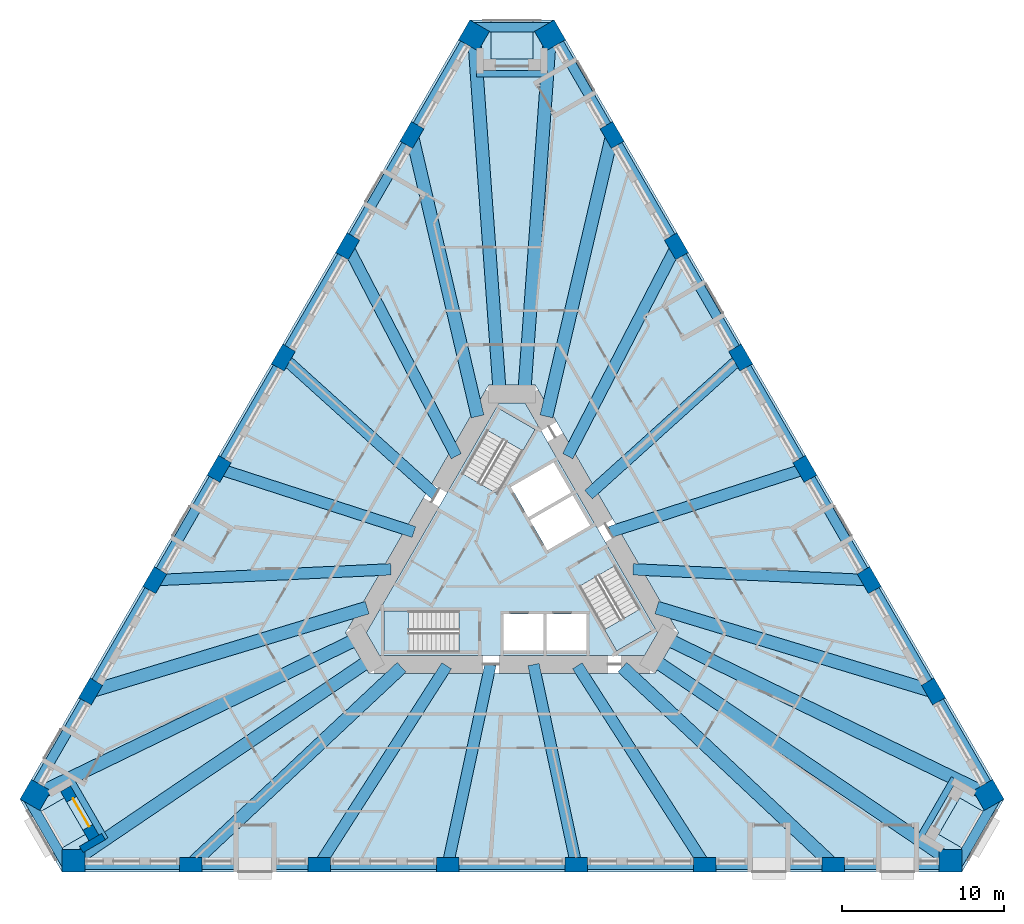
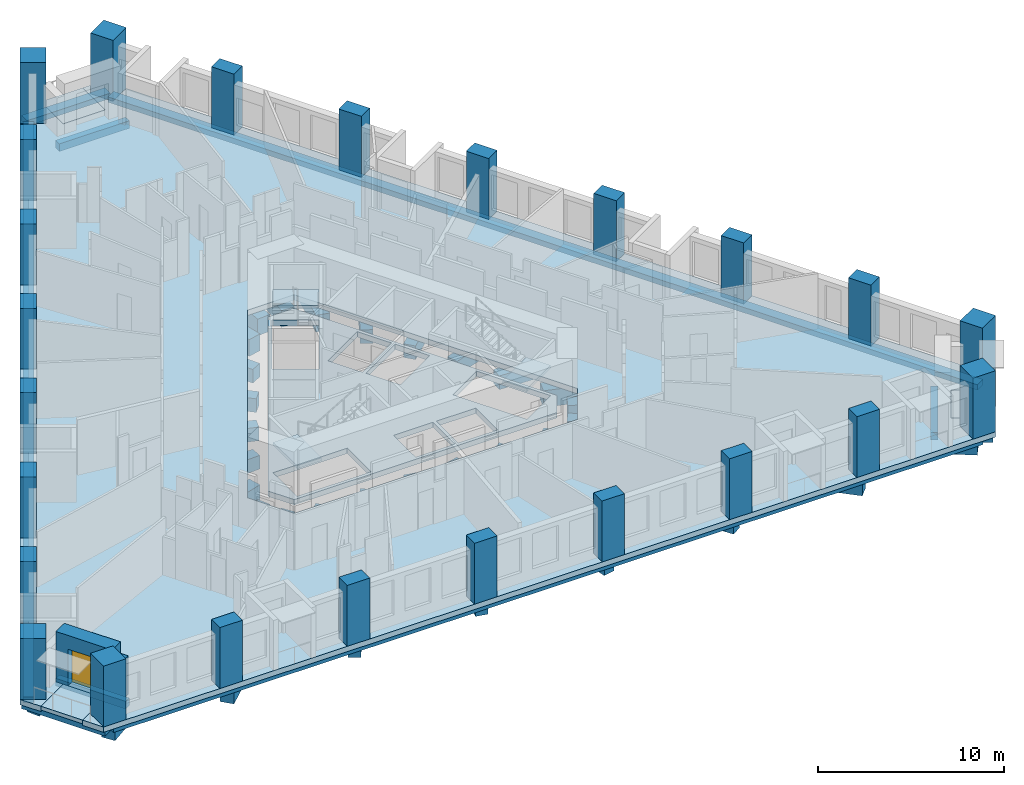
# One storey, part 1 of 14: 33 beams, 24 columns, 8 slabs, 2 walls, 1 door, 1 opening, 3 elements without a shape of their own.
"""IFC4 building model written with IfcOpenShell, lengths in metres."""

from ifc_helpers import new_model, si_unit, direction, frame, frame_2d, origin, origin_2d, place, context, subcontext, project, spatial, polyline, rectangle, outline, extrude, material, layer, layer_set, material_profile, profile_set, type_object, element, fill, aggregate, save


model = new_model("IFC4")

# Units and contexts
model_context = context("Model", 3, precision=1e-05, world=origin(), true_north=direction((0.0, 1.0)))
body_context = subcontext(model_context, "Body", "Model", "MODEL_VIEW")
ifc_project = project(units=[si_unit("LENGTHUNIT", "METRE"), si_unit("AREAUNIT", "SQUARE_METRE"), si_unit("VOLUMEUNIT", "CUBIC_METRE"), si_unit("PLANEANGLEUNIT", "RADIAN"), si_unit("MASSUNIT", "GRAM", prefix="KILO")], contexts=[model_context])

# Site, building, storey
site_placement = place(None, origin())
site = spatial("IfcSite", under=ifc_project, at=site_placement, CompositionType="ELEMENT")
building_placement = place(site_placement, origin())
building = spatial("IfcBuilding", under=site, at=building_placement, Name="Tramontana Tower", CompositionType="ELEMENT")
storey_placement = place(building_placement, frame((0.0, 0.0, 34.0)))
storey = spatial("IfcBuildingStorey", under=building, at=storey_placement, Name="L06", CompositionType="ELEMENT", Elevation=34.0)

# Columns
ifc_material_1 = material(Name="Concrete 70 MPa", Category="concrete")
ifc_material_profile_1 = material_profile(ifc_material_1, rectangle(XDim=1.39990234375, YDim=1.39990234375, at=origin_2d()), Name="Mega column 1400X1400 70 MPa")
ifc_profile_set_1 = profile_set([ifc_material_profile_1], Name="Concrete 70 MPa")
column_type_1 = type_object("IfcColumnType", Name="Mega column 1400X1400 70 MPa", PredefinedType="COLUMN", material=ifc_profile_set_1)
for number, where, z_axis, x_axis, name in (
    (1, (-2.341796875, 32.543701171875, 0.0), (0.0, 0.0, 1.0), (-0.5, -0.866025403784, 0.0), "Mega column C0K1 L06"),
    (2, (-29.354736328125, -14.243896484375, 0.0), (0.0, 0.0, 1.0), (-0.5, -0.866025403784, 0.0), "Mega column C0K2 L06"),
    (3, (-27.0126953125, -18.300048828125, 0.0), (0.0, 0.0, 1.0), (1.0, 0.0, 0.0), "Mega column C0K3 L06"),
    (4, (27.0126953125, -18.300048828125, 0.0), (0.0, 0.0, 1.0), (1.0, 0.0, 0.0), "Mega column C0K4 L06"),
    (5, (29.354736328125, -14.243896484375, 0.0), (0.0, 0.0, 1.0), (-0.5, 0.866025403784, 0.0), "Mega column C0K5 L06"),
    (6, (2.341796875, 32.543701171875, 0.0), (0.0, 0.0, 1.0), (-0.5, 0.866025403784, 0.0), "Mega column C0K6 L06"),
):
    element("IfcColumn", number, at=place(storey_placement, frame(where, z_axis=z_axis, x_axis=x_axis)), inside=storey, type_object=column_type_1, Name=name, PredefinedType="COLUMN", context=body_context, shape_type="SweptSolid", body=[
        extrude(rectangle(XDim=1.39990234375, YDim=1.39990234375, at=origin_2d()), origin(), (0.0, 0.0, 1.0), 4.0),
    ])
ifc_material_2 = material(Name="Concrete 55 MPa", Category="concrete")
ifc_material_profile_2 = material_profile(ifc_material_2, rectangle(XDim=1.39990234375, YDim=0.89990234375, at=origin_2d()), Name="Pier column 1400X900 55 MPa")
ifc_profile_set_2 = profile_set([ifc_material_profile_2], Name="Concrete 55 MPa")
column_type_2 = type_object("IfcColumnType", Name="Pier column 1400X900 55 MPa", PredefinedType="COLUMN", material=ifc_profile_set_2)
for number, where, z_axis, x_axis, name in (
    (7, (-6.167236328125, 26.41796875, 0.0), (0.0, 0.0, 1.0), (-0.5, -0.866025403784, 0.0), "Pier column C0F01 L06"),
    (8, (-10.126220703125, 19.560791015625, 0.0), (0.0, 0.0, 1.0), (-0.5, -0.866025403784, 0.0), "Pier column C0F02 L06"),
    (9, (-14.085205078125, 12.70361328125, 0.0), (0.0, 0.0, 1.0), (-0.5, -0.866025403784, 0.0), "Pier column C0F03 L06"),
    (10, (-18.044189453125, 5.846435546875, 0.0), (0.0, 0.0, 1.0), (-0.5, -0.866025403784, 0.0), "Pier column C0F04 L06"),
    (11, (-22.003173828125, -1.0107421875, 0.0), (0.0, 0.0, 1.0), (-0.5, -0.866025403784, 0.0), "Pier column C0F05 L06"),
    (12, (-25.962158203125, -7.867919921875, 0.0), (0.0, 0.0, 1.0), (-0.5, -0.866025403784, 0.0), "Pier column C0F06 L06"),
    (13, (-19.794921875, -18.550048828125, 0.0), (0.0, 0.0, 1.0), (1.0, 0.0, 0.0), "Pier column C0F07 L06"),
    (14, (-11.876953125, -18.550048828125, 0.0), (0.0, 0.0, 1.0), (1.0, 0.0, 0.0), "Pier column C0F08 L06"),
    (15, (-3.958984375, -18.550048828125, 0.0), (0.0, 0.0, 1.0), (1.0, 0.0, 0.0), "Pier column C0F09 L06"),
    (16, (3.958984375, -18.550048828125, 0.0), (0.0, 0.0, 1.0), (1.0, 0.0, 0.0), "Pier column C0F10 L06"),
    (17, (11.876953125, -18.550048828125, 0.0), (0.0, 0.0, 1.0), (1.0, 0.0, 0.0), "Pier column C0F11 L06"),
    (18, (19.794921875, -18.550048828125, 0.0), (0.0, 0.0, 1.0), (1.0, 0.0, 0.0), "Pier column C0F12 L06"),
    (19, (25.962158203125, -7.867919921875, 0.0), (0.0, 0.0, 1.0), (-0.5, 0.866025403784, 0.0), "Pier column C0F13 L06"),
    (20, (22.003173828125, -1.0107421875, 0.0), (0.0, 0.0, 1.0), (-0.5, 0.866025403784, 0.0), "Pier column C0F14 L06"),
    (21, (18.044189453125, 5.846435546875, 0.0), (0.0, 0.0, 1.0), (-0.5, 0.866025403784, 0.0), "Pier column C0F15 L06"),
    (22, (14.085205078125, 12.70361328125, 0.0), (0.0, 0.0, 1.0), (-0.5, 0.866025403784, 0.0), "Pier column C0F16 L06"),
    (23, (10.126220703125, 19.560791015625, 0.0), (0.0, 0.0, 1.0), (-0.5, 0.866025403784, 0.0), "Pier column C0F17 L06"),
    (24, (6.167236328125, 26.41796875, 0.0), (0.0, 0.0, 1.0), (-0.5, 0.866025403784, 0.0), "Pier column C0F18 L06"),
):
    element("IfcColumn", number, at=place(storey_placement, frame(where, z_axis=z_axis, x_axis=x_axis)), inside=storey, type_object=column_type_2, Name=name, PredefinedType="COLUMN", context=body_context, shape_type="SweptSolid", body=[
        extrude(rectangle(XDim=1.39990234375, YDim=0.89990234375, at=origin_2d()), origin(), (0.0, 0.0, 1.0), 4.0),
    ])

# Beams
ifc_material_3 = material(Name="Concrete 40 MPa", Category="concrete")
ifc_material_profile_3 = material_profile(ifc_material_3, rectangle(XDim=0.60009765625, YDim=0.35009765625, at=origin_2d()), Name="RC EDGE BEAM 600X350 40 MPa")
ifc_profile_set_3 = profile_set([ifc_material_profile_3], Name="Concrete 40 MPa")
beam_type_1 = type_object("IfcBeamType", Name="RC EDGE BEAM 600X350 40 MPa", PredefinedType="SPANDREL", material=ifc_profile_set_3)
beam_1_placement = place(storey_placement, frame((-2.558349609375, 32.668701171875, -0.52490234375), z_axis=(-0.500001490283, -0.866024543367, 0.0), x_axis=(0.866024543367, -0.500001490283, 0.0)))
element("IfcBeam", 25, at=beam_1_placement, inside=storey, type_object=beam_type_1, Name="Spandrel beam S0 L06", PredefinedType="SPANDREL", context=body_context, shape_type="SweptSolid", body=[
    extrude(rectangle(XDim=0.60009765625, YDim=0.35009765625, at=origin_2d()), origin(), (0.0, 0.0, 1.0), 54.025634765625),
])
beam_2_placement = place(storey_placement, frame((-27.0126953125, -18.550048828125, -0.52490234375), z_axis=(1.0, 0.0, 0.0), x_axis=(0.0, 1.0, 0.0)))
element("IfcBeam", 26, at=beam_2_placement, inside=storey, type_object=beam_type_1, Name="Spandrel beam S1 L06", PredefinedType="SPANDREL", context=body_context, shape_type="SweptSolid", body=[
    extrude(rectangle(XDim=0.60009765625, YDim=0.35009765625, at=origin_2d()), origin(), (0.0, 0.0, 1.0), 54.025390625),
])
beam_3_placement = place(storey_placement, frame((29.5712890625, -14.118896484375, -0.52490234375), z_axis=(-0.500001490283, 0.866024543367, 0.0), x_axis=(-0.866024543367, -0.500001490283, 0.0)))
element("IfcBeam", 27, at=beam_3_placement, inside=storey, type_object=beam_type_1, Name="Spandrel beam S2 L06", PredefinedType="SPANDREL", context=body_context, shape_type="SweptSolid", body=[
    extrude(rectangle(XDim=0.60009765625, YDim=0.35009765625, at=origin_2d()), origin(), (0.0, 0.0, 1.0), 54.025634765625),
])
for number, where, z_axis, x_axis, name in (
    (28, (2.59814453125, 33.050048828125, -0.52490234375), (-1.0, 0.0, 0.0), (0.0, -1.0, 0.0), "Spandrel beam K0 L06"),
    (29, (-29.921142578125, -14.27490234375, -0.52490234375), (0.50000986103, -0.866019710441, 0.0), (0.866019710441, 0.50000986103, 0.0), "Spandrel beam K1 L06"),
    (30, (27.322998046875, -18.77490234375, -0.52490234375), (0.50000986103, 0.866019710441, 0.0), (-0.866019710441, 0.50000986103, 0.0), "Spandrel beam K2 L06"),
):
    element("IfcBeam", number, at=place(storey_placement, frame(where, z_axis=z_axis, x_axis=x_axis)), inside=storey, type_object=beam_type_1, Name=name, PredefinedType="SPANDREL", context=body_context, shape_type="SweptSolid", body=[
        extrude(rectangle(XDim=0.60009765625, YDim=0.35009765625, at=origin_2d()), origin(), (0.0, 0.0, 1.0), 5.1962890625),
    ])
ifc_material_4 = material(Name="Concrete 40 MPa", Category="concrete")
ifc_material_profile_4 = material_profile(ifc_material_4, rectangle(XDim=0.699951171875, YDim=0.89990234375, at=origin_2d()), Name="RC GIRDER 700X900 40 MPa")
ifc_profile_set_4 = profile_set([ifc_material_profile_4], Name="Concrete 40 MPa")
beam_type_2 = type_object("IfcBeamType", Name="RC GIRDER 700X900 40 MPa", PredefinedType="BEAM", material=ifc_profile_set_4)
beam_4_placement = place(storey_placement, frame((-10.126220703125, 19.560791015625, -0.800048828125), z_axis=(0.459730770714, -0.88805834181, 0.0), x_axis=(0.88805834181, 0.459730770714, 0.0)))
element("IfcBeam", 31, at=beam_4_placement, inside=storey, type_object=beam_type_2, Name="Radial girder C0F02 L06", PredefinedType="BEAM", context=body_context, shape_type="SweptSolid", body=[
    extrude(rectangle(XDim=0.699951171875, YDim=0.89990234375, at=origin_2d()), origin(), (0.0, 0.0, 1.0), 14.5615234375),
])
beam_5_placement = place(storey_placement, frame((-14.085205078125, 12.70361328125, -0.800048828125), z_axis=(0.742588406407, -0.669748056116, 0.0), x_axis=(0.669748056116, 0.742588406407, 0.0)))
element("IfcBeam", 32, at=beam_5_placement, inside=storey, type_object=beam_type_2, Name="Radial girder C0F03 L06", PredefinedType="BEAM", context=body_context, shape_type="SweptSolid", body=[
    extrude(rectangle(XDim=0.699951171875, YDim=0.89990234375, at=origin_2d()), origin(), (0.0, 0.0, 1.0), 12.615966796875),
])
beam_6_placement = place(storey_placement, frame((-18.044189453125, 5.846435546875, -0.800048828125), z_axis=(0.951314408854, -0.30822215285, 0.0), x_axis=(0.30822215285, 0.951314408854, 0.0)))
element("IfcBeam", 33, at=beam_6_placement, inside=storey, type_object=beam_type_2, Name="Radial girder C0F04 L06", PredefinedType="BEAM", context=body_context, shape_type="SweptSolid", body=[
    extrude(rectangle(XDim=0.699951171875, YDim=0.89990234375, at=origin_2d()), origin(), (0.0, 0.0, 1.0), 12.61572265625),
])
for number, where, z_axis, x_axis, name in (
    (34, (-22.003173828125, -1.0107421875, -0.800048828125), (0.998946541736, 0.045889070085, 0.0), (-0.045889070085, 0.998946541736, 0.0), "Radial girder C0F05 L06"),
    (35, (-11.876953125, -18.550048828125, -0.800048828125), (0.539217827497, 0.84216633423, 0.0), (-0.84216633423, 0.539217827497, 0.0), "Radial girder C0F08 L06"),
):
    element("IfcBeam", number, at=place(storey_placement, frame(where, z_axis=z_axis, x_axis=x_axis)), inside=storey, type_object=beam_type_2, Name=name, PredefinedType="BEAM", context=body_context, shape_type="SweptSolid", body=[
        extrude(rectangle(XDim=0.699951171875, YDim=0.89990234375, at=origin_2d()), origin(), (0.0, 0.0, 1.0), 14.5615234375),
    ])
for number, where, z_axis, x_axis, name in (
    (36, (-3.958984375, -18.550048828125, -0.800048828125), (0.208730772127, 0.977973141128, 0.0), (-0.977973141128, 0.208730772127, 0.0), "Radial girder C0F09 L06"),
    (37, (3.958984375, -18.550048828125, -0.800048828125), (-0.208730772127, 0.977973141128, 0.0), (-0.977973141128, -0.208730772127, 0.0), "Radial girder C0F10 L06"),
):
    element("IfcBeam", number, at=place(storey_placement, frame(where, z_axis=z_axis, x_axis=x_axis)), inside=storey, type_object=beam_type_2, Name=name, PredefinedType="BEAM", context=body_context, shape_type="SweptSolid", body=[
        extrude(rectangle(XDim=0.699951171875, YDim=0.89990234375, at=origin_2d()), origin(), (0.0, 0.0, 1.0), 12.61572265625),
    ])
for number, where, z_axis, x_axis, name in (
    (38, (11.876953125, -18.550048828125, -0.800048828125), (-0.539217827497, 0.84216633423, 0.0), (-0.84216633423, -0.539217827497, 0.0), "Radial girder C0F11 L06"),
    (39, (22.003173828125, -1.0107421875, -0.800048828125), (-0.998946541736, 0.045889070085, 0.0), (-0.045889070085, -0.998946541736, 0.0), "Radial girder C0F14 L06"),
):
    element("IfcBeam", number, at=place(storey_placement, frame(where, z_axis=z_axis, x_axis=x_axis)), inside=storey, type_object=beam_type_2, Name=name, PredefinedType="BEAM", context=body_context, shape_type="SweptSolid", body=[
        extrude(rectangle(XDim=0.699951171875, YDim=0.89990234375, at=origin_2d()), origin(), (0.0, 0.0, 1.0), 14.5615234375),
    ])
beam_7_placement = place(storey_placement, frame((18.044189453125, 5.846435546875, -0.800048828125), z_axis=(-0.951314408854, -0.30822215285, 0.0), x_axis=(0.30822215285, -0.951314408854, 0.0)))
element("IfcBeam", 40, at=beam_7_placement, inside=storey, type_object=beam_type_2, Name="Radial girder C0F15 L06", PredefinedType="BEAM", context=body_context, shape_type="SweptSolid", body=[
    extrude(rectangle(XDim=0.699951171875, YDim=0.89990234375, at=origin_2d()), origin(), (0.0, 0.0, 1.0), 12.61572265625),
])
beam_8_placement = place(storey_placement, frame((14.085205078125, 12.70361328125, -0.800048828125), z_axis=(-0.742588406407, -0.669748056116, 0.0), x_axis=(0.669748056116, -0.742588406407, 0.0)))
element("IfcBeam", 41, at=beam_8_placement, inside=storey, type_object=beam_type_2, Name="Radial girder C0F16 L06", PredefinedType="BEAM", context=body_context, shape_type="SweptSolid", body=[
    extrude(rectangle(XDim=0.699951171875, YDim=0.89990234375, at=origin_2d()), origin(), (0.0, 0.0, 1.0), 12.615966796875),
])
beam_9_placement = place(storey_placement, frame((10.126220703125, 19.560791015625, -0.800048828125), z_axis=(-0.459730770714, -0.88805834181, 0.0), x_axis=(0.88805834181, -0.459730770714, 0.0)))
element("IfcBeam", 42, at=beam_9_placement, inside=storey, type_object=beam_type_2, Name="Radial girder C0F17 L06", PredefinedType="BEAM", context=body_context, shape_type="SweptSolid", body=[
    extrude(rectangle(XDim=0.699951171875, YDim=0.89990234375, at=origin_2d()), origin(), (0.0, 0.0, 1.0), 14.5615234375),
])
ifc_material_5 = material(Name="Concrete 40 MPa", Category="concrete")
ifc_material_profile_5 = material_profile(ifc_material_5, rectangle(XDim=0.800048828125, YDim=1.10009765625, at=origin_2d()), Name="RC GIRDER 800X1100 40 MPa")
ifc_profile_set_5 = profile_set([ifc_material_profile_5], Name="Concrete 40 MPa")
beam_type_3 = type_object("IfcBeamType", Name="RC GIRDER 800X1100 40 MPa", PredefinedType="BEAM", material=ifc_profile_set_5)
beam_10_placement = place(storey_placement, frame((-2.341796875, 32.543701171875, -0.89990234375), z_axis=(0.071767165612, -0.997421412413, 0.0), x_axis=(0.997421412413, 0.071767165612, 0.0)))
element("IfcBeam", 43, at=beam_10_placement, inside=storey, type_object=beam_type_3, Name="Radial girder C0K1 L06", PredefinedType="BEAM", context=body_context, shape_type="SweptSolid", body=[
    extrude(rectangle(XDim=0.800048828125, YDim=1.10009765625, at=origin_2d()), origin(), (0.0, 0.0, 1.0), 22.1494140625),
])
beam_11_placement = place(storey_placement, frame((-6.167236328125, 26.41796875, -0.89990234375), z_axis=(0.227334068495, -0.973816831494, 0.0), x_axis=(0.973816831494, 0.227334068495, 0.0)))
element("IfcBeam", 44, at=beam_11_placement, inside=storey, type_object=beam_type_3, Name="Radial girder C0F01 L06", PredefinedType="BEAM", context=body_context, shape_type="SweptSolid", body=[
    extrude(rectangle(XDim=0.800048828125, YDim=1.10009765625, at=origin_2d()), origin(), (0.0, 0.0, 1.0), 17.806884765625),
])
beam_12_placement = place(storey_placement, frame((-25.962158203125, -7.867919921875, -0.89990234375), z_axis=(0.95701990712, 0.290022236004, 0.0), x_axis=(-0.290022236004, 0.95701990712, 0.0)))
element("IfcBeam", 45, at=beam_12_placement, inside=storey, type_object=beam_type_3, Name="Radial girder C0F06 L06", PredefinedType="BEAM", context=body_context, shape_type="SweptSolid", body=[
    extrude(rectangle(XDim=0.800048828125, YDim=1.10009765625, at=origin_2d()), origin(), (0.0, 0.0, 1.0), 17.806640625),
])
beam_13_placement = place(storey_placement, frame((-29.354736328125, -14.243896484375, -0.89990234375), z_axis=(0.899679009302, 0.436552036098, 0.0), x_axis=(-0.436552036098, 0.899679009302, 0.0)))
element("IfcBeam", 46, at=beam_13_placement, inside=storey, type_object=beam_type_3, Name="Radial girder C0K2 L06", PredefinedType="BEAM", context=body_context, shape_type="SweptSolid", body=[
    extrude(rectangle(XDim=0.800048828125, YDim=1.10009765625, at=origin_2d()), origin(), (0.0, 0.0, 1.0), 22.149658203125),
])
beam_14_placement = place(storey_placement, frame((-27.0126953125, -18.300048828125, -0.89990234375), z_axis=(0.827898052271, 0.560878609903, 0.0), x_axis=(-0.560878609903, 0.827898052271, 0.0)))
element("IfcBeam", 47, at=beam_14_placement, inside=storey, type_object=beam_type_3, Name="Radial girder C0K3 L06", PredefinedType="BEAM", context=body_context, shape_type="SweptSolid", body=[
    extrude(rectangle(XDim=0.800048828125, YDim=1.10009765625, at=origin_2d()), origin(), (0.0, 0.0, 1.0), 22.1494140625),
])
for number, where, z_axis, x_axis, name in (
    (48, (-19.794921875, -18.550048828125, -0.89990234375), (0.72967229952, 0.683796998614, 0.0), (-0.683796998614, 0.72967229952, 0.0), "Radial girder C0F07 L06"),
    (49, (19.794921875, -18.550048828125, -0.89990234375), (-0.72967229952, 0.683796998614, 0.0), (-0.683796998614, -0.72967229952, 0.0), "Radial girder C0F12 L06"),
):
    element("IfcBeam", number, at=place(storey_placement, frame(where, z_axis=z_axis, x_axis=x_axis)), inside=storey, type_object=beam_type_3, Name=name, PredefinedType="BEAM", context=body_context, shape_type="SweptSolid", body=[
        extrude(rectangle(XDim=0.800048828125, YDim=1.10009765625, at=origin_2d()), origin(), (0.0, 0.0, 1.0), 17.806884765625),
    ])
beam_15_placement = place(storey_placement, frame((27.0126953125, -18.300048828125, -0.89990234375), z_axis=(-0.827898052271, 0.560878609903, 0.0), x_axis=(-0.560878609903, -0.827898052271, 0.0)))
element("IfcBeam", 50, at=beam_15_placement, inside=storey, type_object=beam_type_3, Name="Radial girder C0K4 L06", PredefinedType="BEAM", context=body_context, shape_type="SweptSolid", body=[
    extrude(rectangle(XDim=0.800048828125, YDim=1.10009765625, at=origin_2d()), origin(), (0.0, 0.0, 1.0), 22.1494140625),
])
beam_16_placement = place(storey_placement, frame((29.354736328125, -14.243896484375, -0.89990234375), z_axis=(-0.899679009302, 0.436552036098, 0.0), x_axis=(-0.436552036098, -0.899679009302, 0.0)))
element("IfcBeam", 51, at=beam_16_placement, inside=storey, type_object=beam_type_3, Name="Radial girder C0K5 L06", PredefinedType="BEAM", context=body_context, shape_type="SweptSolid", body=[
    extrude(rectangle(XDim=0.800048828125, YDim=1.10009765625, at=origin_2d()), origin(), (0.0, 0.0, 1.0), 22.149658203125),
])
beam_17_placement = place(storey_placement, frame((25.962158203125, -7.867919921875, -0.89990234375), z_axis=(-0.95701990712, 0.290022236004, 0.0), x_axis=(-0.290022236004, -0.95701990712, 0.0)))
element("IfcBeam", 52, at=beam_17_placement, inside=storey, type_object=beam_type_3, Name="Radial girder C0F13 L06", PredefinedType="BEAM", context=body_context, shape_type="SweptSolid", body=[
    extrude(rectangle(XDim=0.800048828125, YDim=1.10009765625, at=origin_2d()), origin(), (0.0, 0.0, 1.0), 17.806640625),
])
beam_18_placement = place(storey_placement, frame((6.167236328125, 26.41796875, -0.89990234375), z_axis=(-0.227334068495, -0.973816831494, 0.0), x_axis=(0.973816831494, -0.227334068495, 0.0)))
element("IfcBeam", 53, at=beam_18_placement, inside=storey, type_object=beam_type_3, Name="Radial girder C0F18 L06", PredefinedType="BEAM", context=body_context, shape_type="SweptSolid", body=[
    extrude(rectangle(XDim=0.800048828125, YDim=1.10009765625, at=origin_2d()), origin(), (0.0, 0.0, 1.0), 17.806884765625),
])
beam_19_placement = place(storey_placement, frame((2.341796875, 32.543701171875, -0.89990234375), z_axis=(-0.071767165612, -0.997421412413, 0.0), x_axis=(0.997421412413, -0.071767165612, 0.0)))
element("IfcBeam", 54, at=beam_19_placement, inside=storey, type_object=beam_type_3, Name="Radial girder C0K6 L06", PredefinedType="BEAM", context=body_context, shape_type="SweptSolid", body=[
    extrude(rectangle(XDim=0.800048828125, YDim=1.10009765625, at=origin_2d()), origin(), (0.0, 0.0, 1.0), 22.1494140625),
])
ifc_material_6 = material(Name="Concrete 40 MPa", Category="concrete")
ifc_material_profile_6 = material_profile(ifc_material_6, rectangle(XDim=0.39990234375, YDim=0.5, at=origin_2d()), Name="RC TRIM BEAM 400X500 40 MPa")
ifc_profile_set_6 = profile_set([ifc_material_profile_6], Name="Concrete 40 MPa")
beam_type_4 = type_object("IfcBeamType", Name="RC TRIM BEAM 400X500 40 MPa", PredefinedType="JOIST", material=ifc_profile_set_6)
for number, where, z_axis, x_axis, name in (
    (55, (2.173095703125, 30.199951171875, -0.60009765625), (-1.0, 0.0, 0.0), (0.0, -1.0, 0.0), "Trimmer beam K0 L06"),
    (56, (-27.240478515625, -13.218017578125, -0.60009765625), (0.499999616612, -0.866025625133, 0.0), (0.866025625133, 0.499999616612, 0.0), "Trimmer beam K1 L06"),
    (57, (25.0673828125, -16.98193359375, -0.60009765625), (0.499999616612, 0.866025625133, 0.0), (-0.866025625133, 0.499999616612, 0.0), "Trimmer beam K2 L06"),
):
    element("IfcBeam", number, at=place(storey_placement, frame(where, z_axis=z_axis, x_axis=x_axis)), inside=storey, type_object=beam_type_4, Name=name, PredefinedType="JOIST", context=body_context, shape_type="SweptSolid", body=[
        extrude(rectangle(XDim=0.39990234375, YDim=0.5, at=origin_2d()), origin(), (0.0, 0.0, 1.0), 4.34619140625),
    ])

# Slabs
ifc_material_7 = material(Name="Precast concrete 50 MPa", Category="concrete")
ifc_layer_1 = layer(ifc_material_7, 0.25)
ifc_layer_set_1 = layer_set([ifc_layer_1], Name="LT1 Loggia floor tray 250")
slab_type_1 = type_object("IfcSlabType", Name="LT1 Loggia floor tray 250", PredefinedType="FLOOR", material=ifc_layer_set_1)
slab_1_placement = place(storey_placement, frame((0.0, 0.0, -0.25)))
element("IfcSlab", 58, at=slab_1_placement, inside=storey, type_object=slab_type_1, Name="Corner loggia floor L06 K00", PredefinedType="FLOOR", context=body_context, shape_type="SweptSolid", body=[
    extrude(outline(polyline([(1.300048828125, 33.5), (1.300048828125, 31.10009765625), (-1.300048828125, 31.10009765625), (-1.300048828125, 33.5), (1.300048828125, 33.5)])), origin(), (0.0, 0.0, 1.0), 0.25),
])
slab_2_placement = place(storey_placement, frame((0.0, 0.0, -0.25)))
element("IfcSlab", 59, at=slab_2_placement, inside=storey, type_object=slab_type_1, Name="Corner loggia floor L06 K01", PredefinedType="FLOOR", context=body_context, shape_type="SweptSolid", body=[
    extrude(outline(polyline([(-29.661865234375, -15.624267578125), (-27.58349609375, -14.424072265625), (-26.283447265625, -16.67578125), (-28.36181640625, -17.875732421875), (-29.661865234375, -15.624267578125)])), origin(), (0.0, 0.0, 1.0), 0.25),
])
slab_3_placement = place(storey_placement, frame((0.0, 0.0, -0.25)))
element("IfcSlab", 60, at=slab_3_placement, inside=storey, type_object=slab_type_1, Name="Corner loggia floor L06 K02", PredefinedType="FLOOR", context=body_context, shape_type="SweptSolid", body=[
    extrude(outline(polyline([(28.36181640625, -17.875732421875), (26.283447265625, -16.67578125), (27.58349609375, -14.424072265625), (29.661865234375, -15.624267578125), (28.36181640625, -17.875732421875)])), origin(), (0.0, 0.0, 1.0), 0.25),
])
ifc_material_8 = material(Name="Concrete 40 MPa", Category="concrete")
ifc_layer_2 = layer(ifc_material_8, 0.35009765625)
ifc_layer_set_2 = layer_set([ifc_layer_2], Name="PT FLAT SLAB 350 40 MPa")
slab_type_2 = type_object("IfcSlabType", Name="PT FLAT SLAB 350 40 MPa", PredefinedType="FLOOR", material=ifc_layer_set_2)
slab_4_placement = place(storey_placement, frame((0.0, 0.0, -0.35009765625)))
element("IfcSlab", 61, at=slab_4_placement, inside=storey, type_object=slab_type_2, Name="Floor slab L06", PredefinedType="FLOOR", context=body_context, shape_type="SweptSolid", body=[
    extrude(outline(polyline([(29.661865234375, -15.624267578125), (27.58349609375, -14.42431640625), (26.283447265625, -16.67578125), (28.36181640625, -17.875732421875), (27.712890625, -19.0), (-27.712890625, -19.0), (-28.36181640625, -17.875732421875), (-26.283447265625, -16.67578125), (-27.58349609375, -14.42431640625), (-29.661865234375, -15.624267578125), (-30.310791015625, -14.5), (-2.59814453125, 33.5), (-1.300048828125, 33.5), (-1.300048828125, 31.10009765625), (1.300048828125, 31.10009765625), (1.300048828125, 33.5), (2.59814453125, 33.5), (30.310791015625, -14.5), (29.661865234375, -15.624267578125)]), holes=[polyline([(-10.248046875, -4.25), (-8.8046875, -6.75), (8.8046875, -6.75), (10.248046875, -4.25), (1.443359375, 11.0), (-1.443359375, 11.0), (-10.248046875, -4.25)])]), origin(), (0.0, 0.0, 1.0), 0.35009765625),
])
slab_5_placement = place(storey_placement, frame((0.0, 0.0, -0.35009765625)))
element("IfcSlab", 62, at=slab_5_placement, inside=storey, type_object=slab_type_2, Name="Core floor slab L06", PredefinedType="FLOOR", context=body_context, shape_type="SweptSolid", body=[
    extrude(outline(polyline([(8.977783203125, -4.25), (8.16943359375, -5.64990234375), (-8.16943359375, -5.64990234375), (-8.977783203125, -4.25), (-0.808349609375, 9.89990234375), (0.808349609375, 9.89990234375), (8.977783203125, -4.25)]), holes=[polyline([(8.659912109375, -4.099365234375), (6.35986328125, -0.115478515625), (4.151611328125, -1.390625), (6.451416015625, -5.374267578125), (8.659912109375, -4.099365234375)]), polyline([(3.829833984375, 4.2666015625), (1.101806640625, 2.69140625), (2.177001953125, 0.82958984375), (4.90478515625, 2.404541015625), (3.829833984375, 4.2666015625)]), polyline([(4.590087890625, -3.10009765625), (2.139892578125, -3.10009765625), (2.139892578125, -5.449951171875), (4.590087890625, -5.449951171875), (4.590087890625, -3.10009765625)]), polyline([(2.65478515625, 6.3017578125), (-0.072998046875, 4.726806640625), (1.001953125, 2.86474609375), (3.729736328125, 4.439697265625), (2.65478515625, 6.3017578125)]), polyline([(1.93994140625, -5.449951171875), (1.93994140625, -3.10009765625), (-0.510009765625, -3.10009765625), (-0.510009765625, -5.449951171875), (1.93994140625, -5.449951171875)]), polyline([(-0.77978515625, 9.54931640625), (-3.079833984375, 5.565673828125), (-0.87158203125, 4.29052734375), (1.428466796875, 8.2744140625), (-0.77978515625, 9.54931640625)]), polyline([(-7.8798828125, -5.449951171875), (-3.280029296875, -5.449951171875), (-3.280029296875, -2.89990234375), (-7.8798828125, -2.89990234375), (-7.8798828125, -5.449951171875)])]), origin(), (0.0, 0.0, 1.0), 0.35009765625),
])

# Stair, slab
ifc_material_9 = material(Name="Concrete 40 MPa", Category="concrete")
stair_type = type_object("IfcStairType", Name="EXIT STAIR 24 RISERS", PredefinedType="HALF_TURN_STAIR", material=ifc_material_9)
stair_1_placement = place(storey_placement, origin())
stair_1 = element("IfcStair", 63, at=stair_1_placement, inside=storey, type_object=stair_type, Name="L06 Exit stair ST1", PredefinedType="HALF_TURN_STAIR")
ifc_material_10 = material(Name="Concrete 40 MPa", Category="concrete")
ifc_layer_3 = layer(ifc_material_10, 0.199951171875)
ifc_layer_set_3 = layer_set([ifc_layer_3], Name="STAIR LANDING 200")
slab_type_3 = type_object("IfcSlabType", Name="STAIR LANDING 200", PredefinedType="LANDING", material=ifc_layer_set_3)
slab_6_placement = place(storey_placement, frame((0.0, 0.0, 1.800048828125)))
slab_6 = element("IfcSlab", 64, at=slab_6_placement, type_object=slab_type_3, Name="ST1 landing 1", PredefinedType="LANDING", context=body_context, shape_type="SweptSolid", body=[
    extrude(outline(polyline([(0.66845703125, 6.9580078125), (1.428466796875, 8.274169921875), (-0.77978515625, 9.54931640625), (-1.539794921875, 8.23291015625), (0.66845703125, 6.9580078125)])), origin(), (0.0, 0.0, 1.0), 0.199951171875),
])
aggregate(stair_1, [slab_6])

stair_2_placement = place(storey_placement, origin())
stair_2 = element("IfcStair", 65, at=stair_2_placement, inside=storey, type_object=stair_type, Name="L06 Exit stair ST2", PredefinedType="HALF_TURN_STAIR")
slab_7_placement = place(storey_placement, frame((0.0, 0.0, 1.800048828125)))
slab_7 = element("IfcSlab", 66, at=slab_7_placement, type_object=slab_type_3, Name="ST2 landing 1", PredefinedType="LANDING", context=body_context, shape_type="SweptSolid", body=[
    extrude(outline(polyline([(-6.360107421875, -2.89990234375), (-7.8798828125, -2.89990234375), (-7.8798828125, -5.449951171875), (-6.360107421875, -5.449951171875), (-6.360107421875, -2.89990234375)])), origin(), (0.0, 0.0, 1.0), 0.199951171875),
])
aggregate(stair_2, [slab_7])

stair_3_placement = place(storey_placement, origin())
stair_3 = element("IfcStair", 67, at=stair_3_placement, inside=storey, type_object=stair_type, Name="L06 Exit stair ST3", PredefinedType="HALF_TURN_STAIR")
slab_8_placement = place(storey_placement, frame((0.0, 0.0, 1.800048828125)))
slab_8 = element("IfcSlab", 68, at=slab_8_placement, type_object=slab_type_3, Name="ST3 landing 1", PredefinedType="LANDING", context=body_context, shape_type="SweptSolid", body=[
    extrude(outline(polyline([(5.69140625, -4.057861328125), (6.451416015625, -5.374267578125), (8.659912109375, -4.099365234375), (7.89990234375, -2.782958984375), (5.69140625, -4.057861328125)])), origin(), (0.0, 0.0, 1.0), 0.199951171875),
])
aggregate(stair_3, [slab_8])

# Wall
ifc_material_11 = material(Name="Precast concrete 60 MPa", Category="concrete")
ifc_layer_4 = layer(ifc_material_11, 0.449951171875)
ifc_layer_set_4 = layer_set([ifc_layer_4], Name="Precast concrete 60 MPa, 450 mm")
wall_type_1 = type_object("IfcWallType", Name="EW1 Stone-faced precast wall 450", PredefinedType="SOLIDWALL", material=ifc_layer_set_4)
wall_1_placement = place(storey_placement, frame((-26.5341796875, -17.60009765625, 0.0), z_axis=(0.0, 0.0, 1.0), x_axis=(0.86597962928, 0.500079275387, 0.0)))
element("IfcWall", 69, at=wall_1_placement, inside=storey, type_object=wall_type_1, Name="Corner loggia side wall L06 K01l", PredefinedType="SOLIDWALL", context=body_context, shape_type="SweptSolid", body=[
    extrude(rectangle(XDim=1.579345703125, YDim=0.449951171875, at=frame_2d((0.78955078125, 0.0))), origin(), (0.0, 0.0, 1.0), 2.550048828125),
])

# Wall, opening, door
ifc_material_12 = material(Name="Precast concrete 60 MPa", Category="concrete")
ifc_layer_5 = layer(ifc_material_12, 0.89990234375)
ifc_layer_set_5 = layer_set([ifc_layer_5], Name="EW2 Stone-faced corner loggia wall 900")
wall_type_2 = type_object("IfcWallType", Name="EW2 Stone-faced corner loggia wall 900", PredefinedType="SOLIDWALL", material=ifc_layer_set_5)
wall_2_placement = place(storey_placement, frame((-25.668701171875, -16.840576171875, 0.0), z_axis=(0.0, 0.0, 1.0), x_axis=(-0.500010275428, 0.866019471182, 0.0)))
wall_2 = element("IfcWall", 70, at=wall_2_placement, inside=storey, type_object=wall_type_2, Name="Corner loggia wall L06 K01", PredefinedType="SOLIDWALL", context=body_context, shape_type="SweptSolid", body=[
    extrude(rectangle(XDim=3.5, YDim=0.89990234375, at=frame_2d((1.75, 0.0))), origin(), (0.0, 0.0, 1.0), 3.300048828125),
])
opening_placement = place(wall_2_placement, frame((0.75, 0.0, 0.0)))
opening = element("IfcOpeningElement", 71, at=opening_placement, cuts=wall_2, Name="Opening BD-01C", PredefinedType="OPENING", context=body_context, shape_type="SweptSolid", body=[
    extrude(rectangle(XDim=2.0, YDim=2.39990234375, at=frame_2d((1.0, 1.199951171875))), frame((0.0, 0.4599609375, 0.0), z_axis=(0.0, -1.0, 0.0), x_axis=(1.0, 0.0, 0.0)), (0.0, 0.0, 1.0), 0.919921875),
])
ifc_material_13 = material(Name="Aluminum frame, double glazing unit", Category="aluminium")
door_type = type_object("IfcDoorType", Name="BC1 Sliding door 2 x 2.4", OperationType="SLIDING_TO_LEFT", PredefinedType="DOOR", material=ifc_material_13)
door_placement = place(opening_placement, origin())
door = element("IfcDoor", 72, at=door_placement, inside=storey, type_object=door_type, Name="Corner loggia door L06 K01", OperationType="SLIDING_TO_LEFT", OverallHeight=2.39990234375, OverallWidth=2.0, PredefinedType="DOOR", context=body_context, shape_type="SweptSolid", body=[
    extrude(rectangle(XDim=2.0, YDim=2.39990234375, at=frame_2d((1.0, 1.199951171875))), frame((0.0, 0.02490234375, 0.0), z_axis=(0.0, -1.0, 0.0), x_axis=(1.0, 0.0, 0.0)), (0.0, 0.0, 1.0), 0.050048828125),
])
fill(opening, door)

save(model, "model.ifc")
